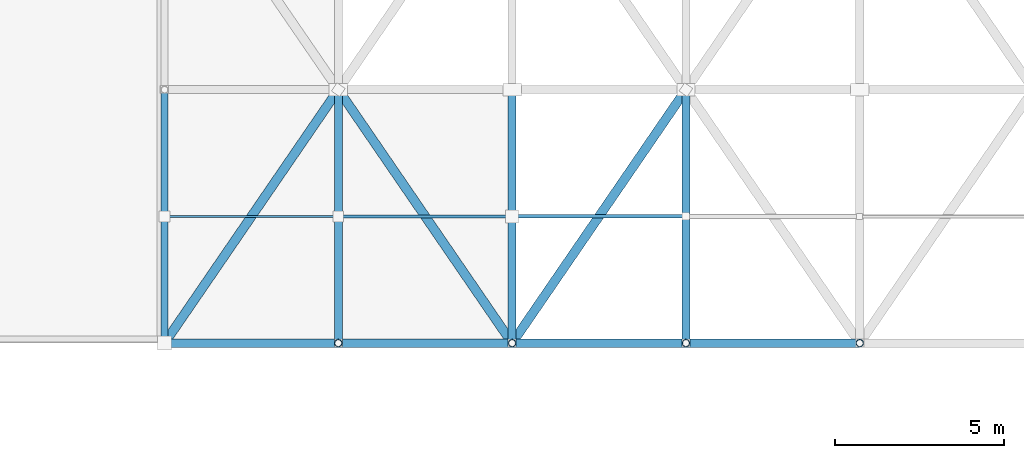
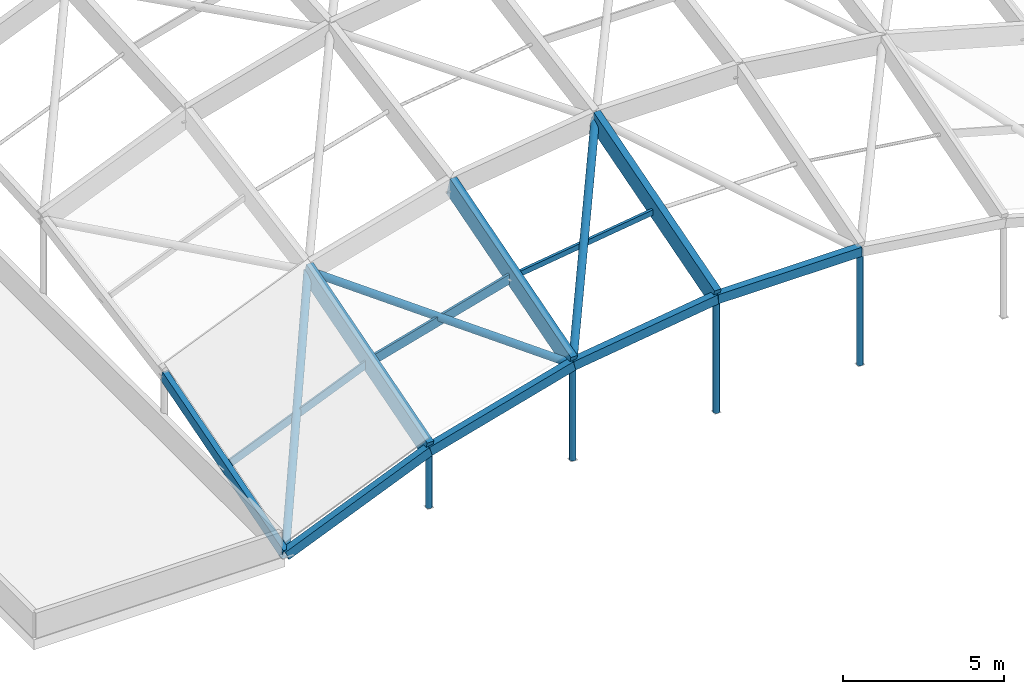
# One storey, part 37 of 81: 18 members.
"""IFC4 building model written with IfcOpenShell, lengths in metres."""

from ifc_helpers import new_model, si_unit, direction, frame, origin, origin_2d, place, context, subcontext, project, spatial, rectangle, hollow_rectangle, hollow_circle, extrude, material, material_profile, profile_set, type_object, element, save


model = new_model("IFC4")

# Units and contexts
model_context = context("Model", 3, precision=1e-05, world=origin(), true_north=direction((0.0, 1.0)))
body_context = subcontext(model_context, "Body", "Model", "MODEL_VIEW")
ifc_project = project(units=[si_unit("LENGTHUNIT", "METRE"), si_unit("AREAUNIT", "SQUARE_METRE"), si_unit("VOLUMEUNIT", "CUBIC_METRE"), si_unit("PLANEANGLEUNIT", "RADIAN"), si_unit("MASSUNIT", "GRAM", prefix="KILO")], contexts=[model_context])

# Site, building, storey
site_placement = place(None, origin())
site = spatial("IfcSite", under=ifc_project, at=site_placement, CompositionType="ELEMENT")
building_placement = place(site_placement, origin())
building = spatial("IfcBuilding", under=site, at=building_placement, Name="Marnridge Secondary College", CompositionType="ELEMENT")
storey_placement = place(building_placement, frame((0.0, 0.0, 8.5)))
storey = spatial("IfcBuildingStorey", under=building, at=storey_placement, Name="L02", CompositionType="ELEMENT", Elevation=8.5)

# Members
ifc_material_1 = material(Name="Cold-formed steel Grade C350L0 (AS/NZS 1163, fy = 350 MPa)", Category="steel")
ifc_material_profile_1 = material_profile(ifc_material_1, hollow_circle(Radius=0.109619140625, WallThickness=0.00830078125, at=origin_2d()), Name="219.1x8.2CHS")
ifc_profile_set_1 = profile_set([ifc_material_profile_1], Name="Cold-formed steel Grade C350L0 (AS/NZS 1163, fy = 350 MPa)")
member_type_1 = type_object("IfcMemberType", Name="MB-GS-CHS219", PredefinedType="BRACE", material=ifc_profile_set_1)
member_1_placement = place(storey_placement, frame((140.142822265625, 75.0, 0.090087890625), z_axis=(0.0, 0.0, 1.0), x_axis=(1.0, 0.0, 0.0)))
element("IfcMember", 1, at=member_1_placement, inside=storey, type_object=member_type_1, Name="Gridshell boundary post GSP-0006", PredefinedType="BRACE", context=body_context, shape_type="SweptSolid", body=[
    extrude(hollow_circle(Radius=0.109619140625, WallThickness=0.00830078125, at=origin_2d()), origin(), (0.0, 0.0, 1.0), 2.18505859375),
])
member_2_placement = place(storey_placement, frame((145.28564453125, 75.0, 0.090087890625), z_axis=(0.0, 0.0, 1.0), x_axis=(1.0, 0.0, 0.0)))
element("IfcMember", 2, at=member_2_placement, inside=storey, type_object=member_type_1, Name="Gridshell boundary post GSP-0008", PredefinedType="BRACE", context=body_context, shape_type="SweptSolid", body=[
    extrude(hollow_circle(Radius=0.109619140625, WallThickness=0.00830078125, at=origin_2d()), origin(), (0.0, 0.0, 1.0), 3.621826171875),
])
for number, where, z_axis, x_axis, name in (
    (3, (150.4287109375, 75.0, 0.090087890625), (0.0, 0.0, 1.0), (1.0, 0.0, 0.0), "Gridshell boundary post GSP-0010"),
    (4, (155.5712890625, 75.0, 0.090087890625), (0.0, 0.0, 1.0), (1.0, 0.0, 0.0), "Gridshell boundary post GSP-0012"),
):
    element("IfcMember", number, at=place(storey_placement, frame(where, z_axis=z_axis, x_axis=x_axis)), inside=storey, type_object=member_type_1, Name=name, PredefinedType="BRACE", context=body_context, shape_type="SweptSolid", body=[
        extrude(hollow_circle(Radius=0.109619140625, WallThickness=0.00830078125, at=origin_2d()), origin(), (0.0, 0.0, 1.0), 4.340087890625),
    ])
ifc_material_2 = material(Name="Cold-formed steel Grade C350L0 (AS/NZS 1163, fy = 350 MPa)", Category="steel")
ifc_material_profile_2 = material_profile(ifc_material_2, hollow_circle(Radius=0.136474609375, WallThickness=0.00927734375, at=origin_2d()), Name="273.1x9.3CHS")
ifc_profile_set_2 = profile_set([ifc_material_profile_2], Name="Cold-formed steel Grade C350L0 (AS/NZS 1163, fy = 350 MPa)")
member_type_2 = type_object("IfcMemberType", Name="MB-GS-CHS273", PredefinedType="BRACE", material=ifc_profile_set_2)
member_3_placement = place(storey_placement, frame((135.0, 75.0, 0.10009765625), z_axis=(0.509568914778, 0.743126373699, 0.433708097463), x_axis=(-0.824730640628, 0.565525746902, 0.0)))
element("IfcMember", 5, at=member_3_placement, inside=storey, type_object=member_type_2, Name="Gridshell member GR-0098", PredefinedType="BRACE", context=body_context, shape_type="SweptSolid", body=[
    extrude(hollow_circle(Radius=0.136474609375, WallThickness=0.00927734375, at=origin_2d()), origin(), (0.0, 0.0, 1.0), 10.092529296875),
])
member_4_placement = place(storey_placement, frame((145.28564453125, 75.0, 3.69189453125), z_axis=(-0.563428328658, 0.821671884945, 0.086045522587), x_axis=(-0.824730640628, -0.565525746902, 0.0)))
element("IfcMember", 6, at=member_4_placement, inside=storey, type_object=member_type_2, Name="Gridshell member GR-0104", PredefinedType="BRACE", context=body_context, shape_type="SweptSolid", body=[
    extrude(hollow_circle(Radius=0.136474609375, WallThickness=0.00927734375, at=origin_2d()), origin(), (0.0, 0.0, 1.0), 9.127685546875),
])
member_5_placement = place(storey_placement, frame((145.28564453125, 75.0, 3.69189453125), z_axis=(0.538114100436, 0.784717799553, 0.307654335215), x_axis=(-0.824718119143, 0.565544007092, 0.0)))
element("IfcMember", 7, at=member_5_placement, inside=storey, type_object=member_type_2, Name="Gridshell member GR-0110", PredefinedType="BRACE", context=body_context, shape_type="SweptSolid", body=[
    extrude(hollow_circle(Radius=0.136474609375, WallThickness=0.00927734375, at=origin_2d()), origin(), (0.0, 0.0, 1.0), 9.5576171875),
])
ifc_material_3 = material(Name="Glulam timber GL18", Category="wood")
ifc_material_profile_3 = material_profile(ifc_material_3, rectangle(XDim=0.239990234375, YDim=0.719970703125, at=origin_2d()), Name="GL18 240x720")
ifc_profile_set_3 = profile_set([ifc_material_profile_3], Name="Glulam timber GL18")
member_type_3 = type_object("IfcMemberType", Name="MB-GS-GL720", PredefinedType="CHORD", material=ifc_profile_set_3)
for number, where, z_axis, x_axis, name in (
    (8, (140.142822265625, 75.0, 2.255126953125), (0.0, 0.958800001874, 0.28408195368), (-1.0, 0.0, 0.0), "Gridshell member GR-0007"),
    (9, (145.28564453125, 75.0, 3.69189453125), (0.0, 0.958800001874, 0.28408195368), (-1.0, 0.0, 0.0), "Gridshell member GR-0013"),
    (10, (150.4287109375, 75.0, 4.41015625), (0.0, 0.958800001874, 0.28408195368), (-1.0, 0.0, 0.0), "Gridshell member GR-0019"),
):
    element("IfcMember", number, at=place(storey_placement, frame(where, z_axis=z_axis, x_axis=x_axis)), inside=storey, type_object=member_type_3, Name=name, PredefinedType="CHORD", context=body_context, shape_type="SweptSolid", body=[
        extrude(rectangle(XDim=0.239990234375, YDim=0.719970703125, at=origin_2d()), origin(), (0.0, 0.0, 1.0), 7.822265625),
    ])
ifc_material_4 = material(Name="Cold-formed steel Grade C350L0 (AS/NZS 1163, fy = 350 MPa)", Category="steel")
ifc_material_profile_4 = material_profile(ifc_material_4, hollow_rectangle(XDim=0.25, YDim=0.35009765625, WallThickness=0.010009765625, at=origin_2d()), Name="350x250x10.0RHS")
ifc_profile_set_4 = profile_set([ifc_material_profile_4], Name="Cold-formed steel Grade C350L0 (AS/NZS 1163, fy = 350 MPa)")
member_type_4 = type_object("IfcMemberType", Name="MB-GS-RHS350", PredefinedType="CHORD", material=ifc_profile_set_4)
member_6_placement = place(storey_placement, frame((135.0, 75.0, 0.10009765625), z_axis=(0.922299118379, 0.0, 0.386476824967), x_axis=(0.0, 1.0, 0.0)))
element("IfcMember", 11, at=member_6_placement, inside=storey, type_object=member_type_4, Name="Gridshell member GR-0049", PredefinedType="CHORD", context=body_context, shape_type="SweptSolid", body=[
    extrude(hollow_rectangle(XDim=0.25, YDim=0.35009765625, WallThickness=0.010009765625, at=origin_2d()), origin(), (0.0, 0.0, 1.0), 5.576171875),
])
member_7_placement = place(storey_placement, frame((140.142822265625, 75.0, 2.255126953125), z_axis=(0.963120557911, 0.0, 0.269070234194), x_axis=(0.0, 1.0, 0.0)))
element("IfcMember", 12, at=member_7_placement, inside=storey, type_object=member_type_4, Name="Gridshell member GR-0050", PredefinedType="CHORD", context=body_context, shape_type="SweptSolid", body=[
    extrude(hollow_rectangle(XDim=0.25, YDim=0.35009765625, WallThickness=0.010009765625, at=origin_2d()), origin(), (0.0, 0.0, 1.0), 5.33984375),
])
member_8_placement = place(storey_placement, frame((145.28564453125, 75.0, 3.69189453125), z_axis=(0.990388427346, 0.0, 0.138314001389), x_axis=(0.0, 1.0, 0.0)))
element("IfcMember", 13, at=member_8_placement, inside=storey, type_object=member_type_4, Name="Gridshell member GR-0051", PredefinedType="CHORD", context=body_context, shape_type="SweptSolid", body=[
    extrude(hollow_rectangle(XDim=0.25, YDim=0.35009765625, WallThickness=0.010009765625, at=origin_2d()), origin(), (0.0, 0.0, 1.0), 5.19287109375),
])
member_9_placement = place(storey_placement, frame((150.4287109375, 75.0, 4.41015625), z_axis=(1.0, 0.0, 0.0), x_axis=(0.0, 1.0, 0.0)))
element("IfcMember", 14, at=member_9_placement, inside=storey, type_object=member_type_4, Name="Gridshell member GR-0052", PredefinedType="CHORD", context=body_context, shape_type="SweptSolid", body=[
    extrude(hollow_rectangle(XDim=0.25, YDim=0.35009765625, WallThickness=0.010009765625, at=origin_2d()), origin(), (0.0, 0.0, 1.0), 5.142578125),
])
ifc_material_5 = material(Name="Cold-formed steel Grade C350L0 (AS/NZS 1163, fy = 350 MPa)", Category="steel")
ifc_material_profile_5 = material_profile(ifc_material_5, hollow_rectangle(XDim=0.199951171875, YDim=0.39990234375, WallThickness=0.010009765625, at=origin_2d()), Name="400x200x10.0RHS")
ifc_profile_set_5 = profile_set([ifc_material_profile_5], Name="Cold-formed steel Grade C350L0 (AS/NZS 1163, fy = 350 MPa)")
member_type_5 = type_object("IfcMemberType", Name="MB-GS-RHS400", PredefinedType="CHORD", material=ifc_profile_set_5)
member_10_placement = place(storey_placement, frame((135.0, 75.0, 0.10009765625), z_axis=(0.0, 0.958800001874, 0.28408195368), x_axis=(-1.0, 0.0, 0.0)))
element("IfcMember", 15, at=member_10_placement, inside=storey, type_object=member_type_5, Name="Gridshell member GR-0001", PredefinedType="CHORD", context=body_context, shape_type="SweptSolid", body=[
    extrude(hollow_rectangle(XDim=0.199951171875, YDim=0.39990234375, WallThickness=0.010009765625, at=origin_2d()), origin(), (0.0, 0.0, 1.0), 7.822265625),
])
ifc_material_6 = material(Name="Engineered timber LVL E13.2", Category="wood")
ifc_material_profile_6 = material_profile(ifc_material_6, rectangle(XDim=0.06298828125, YDim=0.300048828125, at=origin_2d()), Name="LVL 63x300")
ifc_profile_set_6 = profile_set([ifc_material_profile_6], Name="Engineered timber LVL E13.2")
member_type_6 = type_object("IfcMemberType", Name="MB-PR-LVL300", PredefinedType="PURLIN", material=ifc_profile_set_6)
member_11_placement = place(storey_placement, frame((135.0, 78.75, 1.131103515625), z_axis=(0.922299118379, 0.0, 0.386476824967), x_axis=(0.0, 1.0, 0.0)))
element("IfcMember", 16, at=member_11_placement, inside=storey, type_object=member_type_6, Name="Gridshell purlin PR-0023", PredefinedType="PURLIN", context=body_context, shape_type="SweptSolid", body=[
    extrude(rectangle(XDim=0.06298828125, YDim=0.300048828125, at=origin_2d()), origin(), (0.0, 0.0, 1.0), 5.576171875),
])
ifc_material_7 = material(Name="Engineered timber LVL E13.2", Category="wood")
ifc_material_profile_7 = material_profile(ifc_material_7, rectangle(XDim=0.090087890625, YDim=0.360107421875, at=origin_2d()), Name="LVL 90x360")
ifc_profile_set_7 = profile_set([ifc_material_profile_7], Name="Engineered timber LVL E13.2")
member_type_7 = type_object("IfcMemberType", Name="MB-PR-LVL360", PredefinedType="PURLIN", material=ifc_profile_set_7)
member_12_placement = place(storey_placement, frame((140.142822265625, 78.75, 3.2861328125), z_axis=(0.963120557911, 0.0, 0.269070234194), x_axis=(0.0, 1.0, 0.0)))
element("IfcMember", 17, at=member_12_placement, inside=storey, type_object=member_type_7, Name="Gridshell purlin PR-0029", PredefinedType="PURLIN", context=body_context, shape_type="SweptSolid", body=[
    extrude(rectangle(XDim=0.090087890625, YDim=0.360107421875, at=origin_2d()), origin(), (0.0, 0.0, 1.0), 5.33984375),
])
ifc_material_8 = material(Name="Cold-formed steel Grade C350L0 (AS/NZS 1163, fy = 350 MPa)", Category="steel")
ifc_material_profile_8 = material_profile(ifc_material_8, hollow_rectangle(XDim=0.10009765625, YDim=0.199951171875, WallThickness=0.006103515625, at=origin_2d()), Name="200x100x6.0RHS")
ifc_profile_set_8 = profile_set([ifc_material_profile_8], Name="Cold-formed steel Grade C350L0 (AS/NZS 1163, fy = 350 MPa)")
member_type_8 = type_object("IfcMemberType", Name="MB-PR-RHS200", PredefinedType="PURLIN", material=ifc_profile_set_8)
member_13_placement = place(storey_placement, frame((145.28564453125, 78.75, 4.722900390625), z_axis=(0.990381986176, 0.0, 0.138360115129), x_axis=(0.0, 1.0, 0.0)))
element("IfcMember", 18, at=member_13_placement, inside=storey, type_object=member_type_8, Name="Gridshell purlin PR-0035", PredefinedType="PURLIN", context=body_context, shape_type="SweptSolid", body=[
    extrude(hollow_rectangle(XDim=0.10009765625, YDim=0.199951171875, WallThickness=0.006103515625, at=origin_2d()), origin(), (0.0, 0.0, 1.0), 5.193115234375),
])

save(model, "model.ifc")
